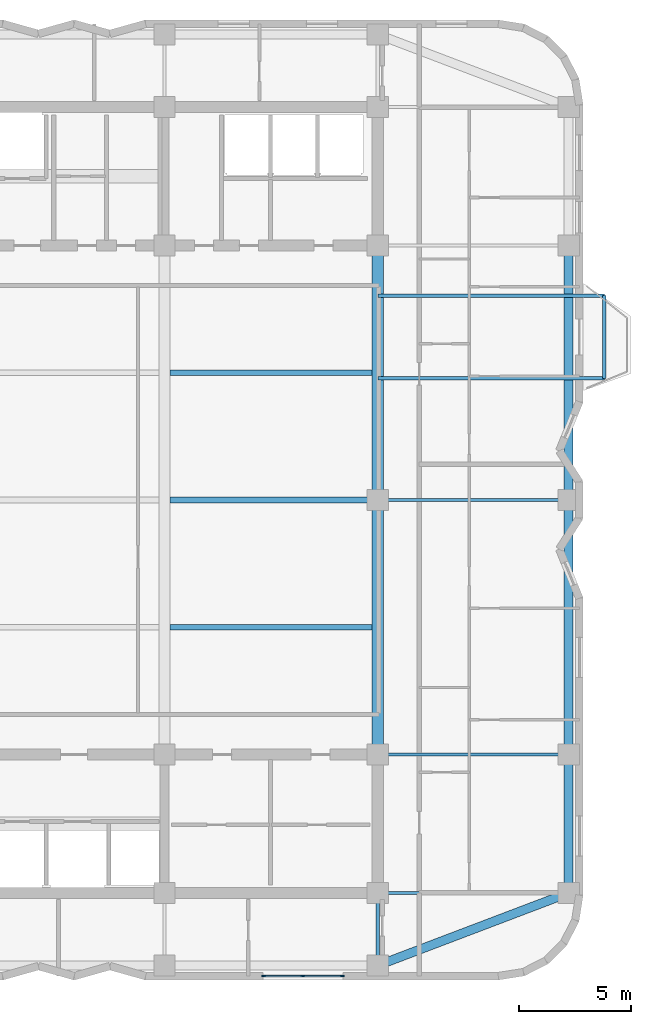
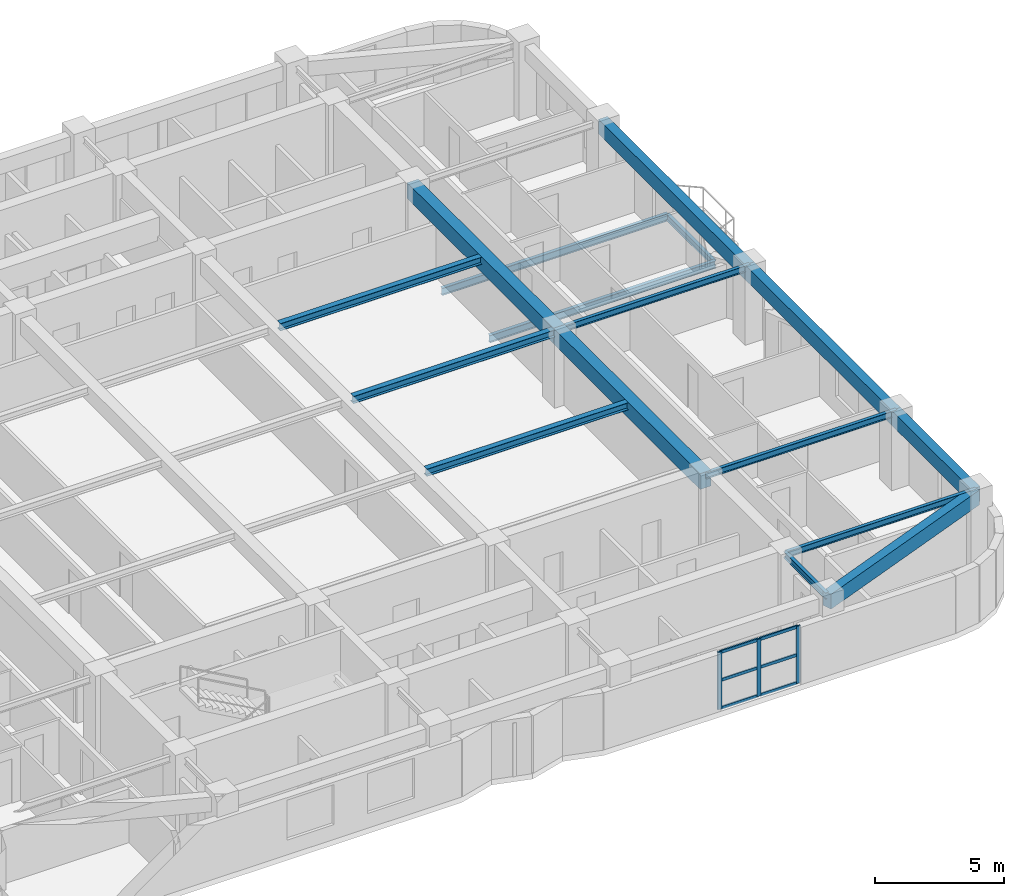
# One storey, part 2 of 12: 16 beams, 9 members, 1 element without a shape of its own.
"""IFC4 building model written with IfcOpenShell, lengths in metres."""

from ifc_helpers import new_model, si_unit, direction, frame, origin, origin_2d, place, context, subcontext, project, spatial, rectangle, i_section, extrude, material, material_profile, profile_set, type_object, element, aggregate, save


model = new_model("IFC4")

# Units and contexts
model_context = context("Model", 3, precision=1e-05, world=origin(), true_north=direction((0.0, 1.0)))
body_context = subcontext(model_context, "Body", "Model", "MODEL_VIEW")
ifc_project = project(units=[si_unit("LENGTHUNIT", "METRE"), si_unit("AREAUNIT", "SQUARE_METRE"), si_unit("VOLUMEUNIT", "CUBIC_METRE"), si_unit("PLANEANGLEUNIT", "RADIAN"), si_unit("MASSUNIT", "GRAM", prefix="KILO")], contexts=[model_context])

# Site, building, storey
site_placement = place(None, origin())
site = spatial("IfcSite", under=ifc_project, at=site_placement, CompositionType="ELEMENT")
building_placement = place(site_placement, origin())
building = spatial("IfcBuilding", under=site, at=building_placement, Name="Svetorya Sky Lyceum", CompositionType="ELEMENT")
storey_placement = place(building_placement, frame((0.0, 0.0, 158.89990234375)))
storey = spatial("IfcBuildingStorey", under=building, at=storey_placement, Name="L39", CompositionType="ELEMENT", Elevation=158.89990234375)

# Beams
ifc_material_1 = material(Name="Concrete C50/60", Category="concrete")
ifc_material_profile_1 = material_profile(ifc_material_1, rectangle(XDim=0.5, YDim=0.75, at=origin_2d()), Name="RC BEAM 500x750")
ifc_profile_set_1 = profile_set([ifc_material_profile_1], Name="Concrete C50/60")
beam_type_1 = type_object("IfcBeamType", Name="BM-RC-750", PredefinedType="BEAM", material=ifc_profile_set_1)
beam_1_placement = place(storey_placement, frame((52.800048828125, 16.800048828125, 3.065185546875), z_axis=(0.0, 1.0, 0.0), x_axis=(-1.0, 0.0, 0.0)))
element("IfcBeam", 1, at=beam_1_placement, inside=storey, type_object=beam_type_1, Name="L39 Central Bay Primary Girder CG-4A", PredefinedType="BEAM", context=body_context, shape_type="SweptSolid", body=[
    extrude(rectangle(XDim=0.5, YDim=0.75, at=origin_2d()), origin(), (0.0, 0.0, 1.0), 11.39990234375),
])
beam_2_placement = place(storey_placement, frame((52.800048828125, 28.199951171875, 3.065185546875), z_axis=(0.0, 1.0, 0.0), x_axis=(-1.0, 0.0, 0.0)))
element("IfcBeam", 2, at=beam_2_placement, inside=storey, type_object=beam_type_1, Name="L39 Central Bay Primary Girder CG-4B", PredefinedType="BEAM", context=body_context, shape_type="SweptSolid", body=[
    extrude(rectangle(XDim=0.5, YDim=0.75, at=origin_2d()), origin(), (0.0, 0.0, 1.0), 11.400146484375),
])
ifc_material_profile_2 = material_profile(ifc_material_1, rectangle(XDim=0.39990234375, YDim=0.699951171875, at=origin_2d()), Name="RC SPANDREL 400x700")
ifc_profile_set_2 = profile_set([ifc_material_profile_2], Name="Concrete C50/60")
beam_type_2 = type_object("IfcBeamType", Name="BM-SPN-700", PredefinedType="SPANDREL", material=ifc_profile_set_2)
beam_3_placement = place(storey_placement, frame((52.800048828125, 7.35009765625, 3.090087890625), z_axis=(0.934747947367, 0.355311518099, 0.0), x_axis=(-0.355311518099, 0.934747947367, 0.0)))
element("IfcBeam", 3, at=beam_3_placement, inside=storey, type_object=beam_type_2, Name="L39 Corner Spandrel 2", PredefinedType="SPANDREL", context=body_context, shape_type="SweptSolid", body=[
    extrude(rectangle(XDim=0.39990234375, YDim=0.699951171875, at=origin_2d()), origin(), (0.0, 0.0, 1.0), 9.14697265625),
])
beam_4_placement = place(storey_placement, frame((61.35009765625, 10.60009765625, 3.090087890625), z_axis=(0.0, 1.0, 0.0), x_axis=(-1.0, 0.0, 0.0)))
element("IfcBeam", 4, at=beam_4_placement, inside=storey, type_object=beam_type_2, Name="L39 East Spandrel 1", PredefinedType="SPANDREL", context=body_context, shape_type="SweptSolid", body=[
    extrude(rectangle(XDim=0.39990234375, YDim=0.699951171875, at=origin_2d()), origin(), (0.0, 0.0, 1.0), 6.199951171875),
])
beam_5_placement = place(storey_placement, frame((61.35009765625, 16.800048828125, 3.090087890625), z_axis=(0.0, 1.0, 0.0), x_axis=(-1.0, 0.0, 0.0)))
element("IfcBeam", 5, at=beam_5_placement, inside=storey, type_object=beam_type_2, Name="L39 East Spandrel 2", PredefinedType="SPANDREL", context=body_context, shape_type="SweptSolid", body=[
    extrude(rectangle(XDim=0.39990234375, YDim=0.699951171875, at=origin_2d()), origin(), (0.0, 0.0, 1.0), 11.39990234375),
])
beam_6_placement = place(storey_placement, frame((61.35009765625, 28.199951171875, 3.090087890625), z_axis=(0.0, 1.0, 0.0), x_axis=(-1.0, 0.0, 0.0)))
element("IfcBeam", 6, at=beam_6_placement, inside=storey, type_object=beam_type_2, Name="L39 East Spandrel 3", PredefinedType="SPANDREL", context=body_context, shape_type="SweptSolid", body=[
    extrude(rectangle(XDim=0.39990234375, YDim=0.699951171875, at=origin_2d()), origin(), (0.0, 0.0, 1.0), 11.400146484375),
])
ifc_material_2 = material(Name="Steel S355", Category="steel")
ifc_material_profile_3 = material_profile(ifc_material_2, i_section(OverallWidth=0.14990234375, OverallDepth=0.299072265625, WebThickness=0.006591796875, FlangeThickness=0.010498046875, at=origin_2d()), Name="GOST 30B2")
ifc_profile_set_3 = profile_set([ifc_material_profile_3], Name="Steel S355")
beam_type_3 = type_object("IfcBeamType", Name="BM-STL-30B2", PredefinedType="JOIST", material=ifc_profile_set_3)
beam_7_placement = place(storey_placement, frame((62.949951171875, 33.64990234375, -0.434326171875), z_axis=(0.0, 1.0, 0.0), x_axis=(-1.0, 0.0, 0.0)))
element("IfcBeam", 7, at=beam_7_placement, inside=storey, type_object=beam_type_3, Name="L39 Balcony Edge Tie BAL-E1", PredefinedType="JOIST", context=body_context, shape_type="SweptSolid", body=[
    extrude(i_section(OverallWidth=0.14990234375, OverallDepth=0.299072265625, WebThickness=0.006591796875, FlangeThickness=0.010498046875, at=origin_2d()), origin(), (0.0, 0.0, 1.0), 3.7001953125),
])
for number, where, z_axis, x_axis, name in (
    (8, (52.800048828125, 10.60009765625, 3.29052734375), (1.0, 0.0, 0.0), (0.0, 1.0, 0.0), "L39 East Wing Floor Joist E1"),
    (9, (52.800048828125, 16.800048828125, 3.29052734375), (1.0, 0.0, 0.0), (0.0, 1.0, 0.0), "L39 East Wing Floor Joist E2"),
    (10, (52.800048828125, 28.199951171875, 3.29052734375), (1.0, 0.0, 0.0), (0.0, 1.0, 0.0), "L39 East Wing Floor Joist E3"),
):
    element("IfcBeam", number, at=place(storey_placement, frame(where, z_axis=z_axis, x_axis=x_axis)), inside=storey, type_object=beam_type_3, Name=name, PredefinedType="JOIST", context=body_context, shape_type="SweptSolid", body=[
        extrude(i_section(OverallWidth=0.14990234375, OverallDepth=0.299072265625, WebThickness=0.006591796875, FlangeThickness=0.010498046875, at=origin_2d()), origin(), (0.0, 0.0, 1.0), 8.550048828125),
    ])
beam_8_placement = place(storey_placement, frame((52.800048828125, 7.35009765625, 3.29052734375), z_axis=(0.0, 1.0, 0.0), x_axis=(-1.0, 0.0, 0.0)))
element("IfcBeam", 11, at=beam_8_placement, inside=storey, type_object=beam_type_3, Name="L39 South Bay Floor Girder S4", PredefinedType="JOIST", context=body_context, shape_type="SweptSolid", body=[
    extrude(i_section(OverallWidth=0.14990234375, OverallDepth=0.299072265625, WebThickness=0.006591796875, FlangeThickness=0.010498046875, at=origin_2d()), origin(), (0.0, 0.0, 1.0), 3.25),
])
ifc_material_profile_4 = material_profile(ifc_material_2, i_section(OverallWidth=0.155029296875, OverallDepth=0.34912109375, WebThickness=0.007080078125, FlangeThickness=0.011474609375, at=origin_2d()), Name="GOST 35B2")
ifc_profile_set_4 = profile_set([ifc_material_profile_4], Name="Steel S355")
beam_type_4 = type_object("IfcBeamType", Name="BM-STL-35B2", PredefinedType="JOIST", material=ifc_profile_set_4)
for number, where, z_axis, x_axis, name in (
    (12, (52.800048828125, 33.64990234375, -0.434326171875), (1.0, 0.0, 0.0), (0.0, 1.0, 0.0), "L39 Balcony Cantilever Beam BAL-E1-1"),
    (13, (52.800048828125, 37.35009765625, -0.434326171875), (1.0, 0.0, 0.0), (0.0, 1.0, 0.0), "L39 Balcony Cantilever Beam BAL-E1-2"),
):
    element("IfcBeam", number, at=place(storey_placement, frame(where, z_axis=z_axis, x_axis=x_axis)), inside=storey, type_object=beam_type_4, Name=name, PredefinedType="JOIST", context=body_context, shape_type="SweptSolid", body=[
        extrude(i_section(OverallWidth=0.155029296875, OverallDepth=0.34912109375, WebThickness=0.007080078125, FlangeThickness=0.011474609375, at=origin_2d()), origin(), (0.0, 0.0, 1.0), 10.14990234375),
    ])
ifc_material_profile_5 = material_profile(ifc_material_2, i_section(OverallWidth=0.25, OverallDepth=0.345947265625, WebThickness=0.009521484375, FlangeThickness=0.014404296875, at=origin_2d()), Name="GOST 35Sh2")
ifc_profile_set_5 = profile_set([ifc_material_profile_5], Name="Steel S355")
beam_type_5 = type_object("IfcBeamType", Name="BM-STL-35SH2", PredefinedType="BEAM", material=ifc_profile_set_5)
for number, where, z_axis, x_axis, name in (
    (14, (43.5, 22.5, 3.26708984375), (1.0, 0.0, 0.0), (0.0, 1.0, 0.0), "L39 Central Floor Joist CJ-1.3"),
    (15, (43.5, 28.199951171875, 3.26708984375), (1.0, 0.0, 0.0), (0.0, 1.0, 0.0), "L39 Central Floor Joist CJ-2.3"),
    (16, (43.5, 33.89990234375, 3.26708984375), (1.0, 0.0, 0.0), (0.0, 1.0, 0.0), "L39 Central Floor Joist CJ-3.3"),
):
    element("IfcBeam", number, at=place(storey_placement, frame(where, z_axis=z_axis, x_axis=x_axis)), inside=storey, type_object=beam_type_5, Name=name, PredefinedType="BEAM", context=body_context, shape_type="SweptSolid", body=[
        extrude(i_section(OverallWidth=0.25, OverallDepth=0.345947265625, WebThickness=0.009521484375, FlangeThickness=0.014404296875, at=origin_2d()), origin(), (0.0, 0.0, 1.0), 9.050048828125),
    ])

# Curtain wall, members
ifc_material_3 = material(Name="Thermally broken anodized aluminium and triple low-E glass", Category="aluminium")
curtain_wall_type = type_object("IfcCurtainWallType", Name="CW3-LOG-RES", PredefinedType="NOTDEFINED", material=ifc_material_3)
curtain_wall_placement = place(storey_placement, origin())
curtain_wall = element("IfcCurtainWall", 17, at=curtain_wall_placement, inside=storey, type_object=curtain_wall_type, Name="L39 Recessed Loggia Curtain Wall 11", PredefinedType="NOTDEFINED")
ifc_material_4 = material(Name="Thermally broken anodized aluminium EN AW-6060", Category="aluminium")
ifc_material_profile_6 = material_profile(ifc_material_4, rectangle(XDim=0.06494140625, YDim=0.179931640625, at=origin_2d()), Name="ALU MULLION 65x180")
ifc_profile_set_6 = profile_set([ifc_material_profile_6], Name="Thermally broken anodized aluminium EN AW-6060")
member_type_1 = type_object("IfcMemberType", Name="CWM-MUL-180", PredefinedType="MULLION", material=ifc_profile_set_6)
member_1_placement = place(storey_placement, frame((47.6826171875, 6.8701171875, 0.0), z_axis=(0.0, 0.0, 1.0), x_axis=(0.0, 1.0, 0.0)))
member_1 = element("IfcMember", 18, at=member_1_placement, type_object=member_type_1, Name="CW-3 mullion 1", PredefinedType="MULLION", context=body_context, shape_type="SweptSolid", body=[
    extrude(rectangle(XDim=0.06494140625, YDim=0.179931640625, at=origin_2d()), origin(), (0.0, 0.0, 1.0), 2.72021484375),
])
member_2_placement = place(storey_placement, frame((49.449951171875, 6.8701171875, 0.0), z_axis=(0.0, 0.0, 1.0), x_axis=(0.0, 1.0, 0.0)))
member_2 = element("IfcMember", 19, at=member_2_placement, type_object=member_type_1, Name="CW-3 mullion 2", PredefinedType="MULLION", context=body_context, shape_type="SweptSolid", body=[
    extrude(rectangle(XDim=0.06494140625, YDim=0.179931640625, at=origin_2d()), origin(), (0.0, 0.0, 1.0), 2.72021484375),
])
member_3_placement = place(storey_placement, frame((51.217529296875, 6.8701171875, 0.0), z_axis=(0.0, 0.0, 1.0), x_axis=(0.0, 1.0, 0.0)))
member_3 = element("IfcMember", 20, at=member_3_placement, type_object=member_type_1, Name="CW-3 mullion 3", PredefinedType="MULLION", context=body_context, shape_type="SweptSolid", body=[
    extrude(rectangle(XDim=0.06494140625, YDim=0.179931640625, at=origin_2d()), origin(), (0.0, 0.0, 1.0), 2.72021484375),
])
ifc_material_profile_7 = material_profile(ifc_material_4, rectangle(XDim=0.06494140625, YDim=0.139892578125, at=origin_2d()), Name="ALU TRANSOM 65x140")
ifc_profile_set_7 = profile_set([ifc_material_profile_7], Name="Thermally broken anodized aluminium EN AW-6060")
member_type_2 = type_object("IfcMemberType", Name="CWM-TRN-140", PredefinedType="USERDEFINED", material=ifc_profile_set_7)
member_4_placement = place(storey_placement, frame((47.71337890625, 6.8701171875, 0.03271484375), z_axis=(1.0, 0.0, 0.0), x_axis=(0.0, 1.0, 0.0)))
member_4 = element("IfcMember", 21, at=member_4_placement, type_object=member_type_2, Name="CW-3 transom 1.1", ObjectType="TRANSOM", PredefinedType="USERDEFINED", context=body_context, shape_type="SweptSolid", body=[
    extrude(rectangle(XDim=0.06494140625, YDim=0.139892578125, at=origin_2d()), origin(), (0.0, 0.0, 1.0), 1.70556640625),
])
member_5_placement = place(storey_placement, frame((47.71337890625, 6.8701171875, 1.360107421875), z_axis=(1.0, 0.0, 0.0), x_axis=(0.0, 1.0, 0.0)))
member_5 = element("IfcMember", 22, at=member_5_placement, type_object=member_type_2, Name="CW-3 transom 1.2", ObjectType="TRANSOM", PredefinedType="USERDEFINED", context=body_context, shape_type="SweptSolid", body=[
    extrude(rectangle(XDim=0.06494140625, YDim=0.139892578125, at=origin_2d()), origin(), (0.0, 0.0, 1.0), 1.70556640625),
])
member_6_placement = place(storey_placement, frame((47.71337890625, 6.8701171875, 2.6875), z_axis=(1.0, 0.0, 0.0), x_axis=(0.0, 1.0, 0.0)))
member_6 = element("IfcMember", 23, at=member_6_placement, type_object=member_type_2, Name="CW-3 transom 1.3", ObjectType="TRANSOM", PredefinedType="USERDEFINED", context=body_context, shape_type="SweptSolid", body=[
    extrude(rectangle(XDim=0.06494140625, YDim=0.139892578125, at=origin_2d()), origin(), (0.0, 0.0, 1.0), 1.70556640625),
])
member_7_placement = place(storey_placement, frame((49.48095703125, 6.8701171875, 0.03271484375), z_axis=(1.0, 0.0, 0.0), x_axis=(0.0, 1.0, 0.0)))
member_7 = element("IfcMember", 24, at=member_7_placement, type_object=member_type_2, Name="CW-3 transom 2.1", ObjectType="TRANSOM", PredefinedType="USERDEFINED", context=body_context, shape_type="SweptSolid", body=[
    extrude(rectangle(XDim=0.06494140625, YDim=0.139892578125, at=origin_2d()), origin(), (0.0, 0.0, 1.0), 1.70556640625),
])
member_8_placement = place(storey_placement, frame((49.48095703125, 6.8701171875, 1.360107421875), z_axis=(1.0, 0.0, 0.0), x_axis=(0.0, 1.0, 0.0)))
member_8 = element("IfcMember", 25, at=member_8_placement, type_object=member_type_2, Name="CW-3 transom 2.2", ObjectType="TRANSOM", PredefinedType="USERDEFINED", context=body_context, shape_type="SweptSolid", body=[
    extrude(rectangle(XDim=0.06494140625, YDim=0.139892578125, at=origin_2d()), origin(), (0.0, 0.0, 1.0), 1.70556640625),
])
member_9_placement = place(storey_placement, frame((49.48095703125, 6.8701171875, 2.6875), z_axis=(1.0, 0.0, 0.0), x_axis=(0.0, 1.0, 0.0)))
member_9 = element("IfcMember", 26, at=member_9_placement, type_object=member_type_2, Name="CW-3 transom 2.3", ObjectType="TRANSOM", PredefinedType="USERDEFINED", context=body_context, shape_type="SweptSolid", body=[
    extrude(rectangle(XDim=0.06494140625, YDim=0.139892578125, at=origin_2d()), origin(), (0.0, 0.0, 1.0), 1.70556640625),
])
aggregate(curtain_wall, [member_1, member_2, member_3, member_4, member_5, member_6, member_7, member_8, member_9])

save(model, "model.ifc")
